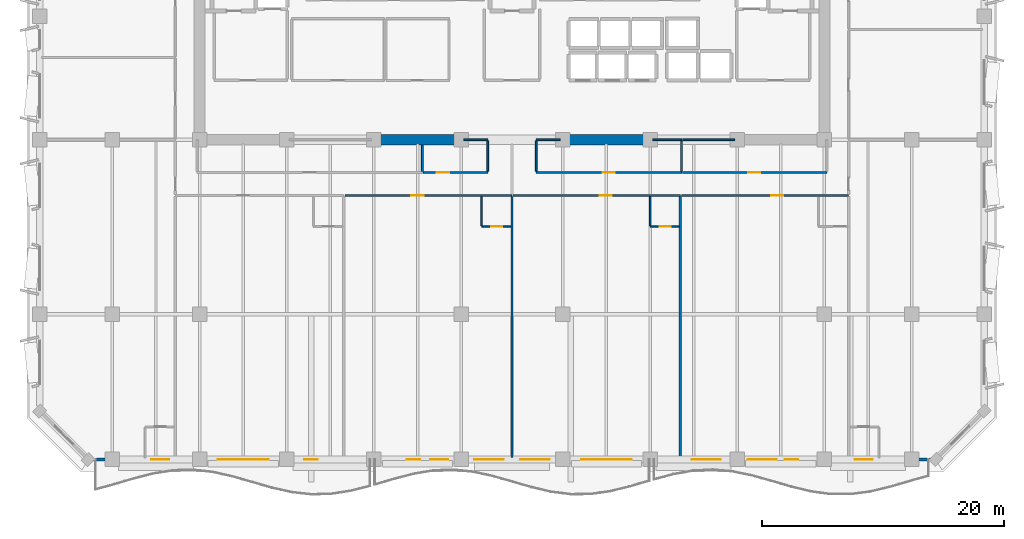
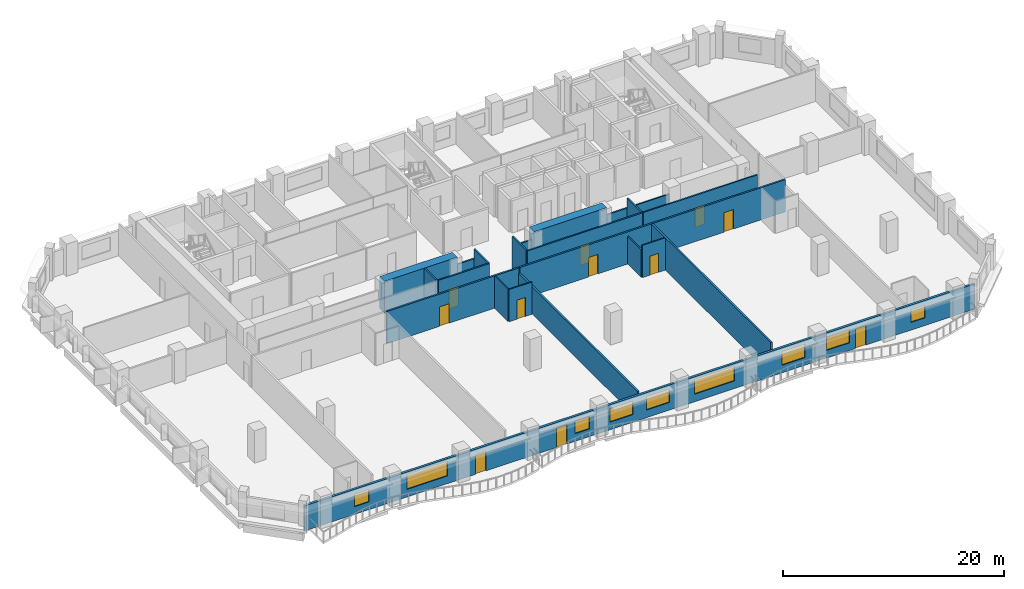
# One storey, part 5 of 14: 23 walls, 11 doors, 9 windows, 20 openings.
"""IFC4 building model written with IfcOpenShell, lengths in metres."""

import ifcopenshell
import ifcopenshell.guid

model = None  # the IFC model being written
_history = None  # IfcOwnerHistory: only IFC2X3 demands one
_inside = {}  # id of a spatial element -> (the spatial element, [elements in it])
_under = {}  # id of a project, library or spatial element -> (it, [spatial elements below it])
_declared = {}  # id of a project -> (the project, [libraries it declares])
_typed = {}  # id of a type object -> (the type object, [elements of that type])
_made_of = {}  # id of a material, layer set ... -> (it, [elements and type objects made of it])


def new_model(schema):
    """Start an empty IFC model of exactly this schema.

    Asked for "IFC4X3", IfcOpenShell would pick the latest addendum, in which some entities
    have other attributes; the version numbers below select the first issue.
    IFC2X3 requires an IfcOwnerHistory on every rooted entity: one is made here for all.
    """
    global model, _history
    if schema == "IFC4X3":
        model = ifcopenshell.file(schema_version=(4, 3, 0, 0))
    else:
        model = ifcopenshell.file(schema=schema)
    _inside.clear()
    _under.clear()
    _declared.clear()
    _typed.clear()
    _made_of.clear()
    _history = None
    if model.schema == "IFC2X3":
        org = make("IfcOrganization", Name="unknown")
        user = make(
            "IfcPersonAndOrganization",
            ThePerson=make("IfcPerson", FamilyName="unknown"),
            TheOrganization=org,
        )
        app = make(
            "IfcApplication",
            ApplicationDeveloper=org,
            Version="unknown",
            ApplicationFullName="unknown",
            ApplicationIdentifier="unknown",
        )
        _history = make(
            "IfcOwnerHistory",
            OwningUser=user,
            OwningApplication=app,
            ChangeAction="ADDED",
            CreationDate=0,
        )
    return model


def make(cls, **values):
    """One entity of the class cls with the attributes given. An attribute that is None is left unset."""
    return model.create_entity(
        cls, **{name: value for name, value in values.items() if value is not None}
    )


def rooted(cls, **values):
    """An entity with a GlobalId (a new one), such as an element, a storey or a relation."""
    return make(cls, GlobalId=ifcopenshell.guid.new(), OwnerHistory=_history, **values)


def si_unit(unit_type, name, prefix=None):
    """IfcSIUnit, for example si_unit("LENGTHUNIT", "METRE", prefix="MILLI")."""
    return make("IfcSIUnit", UnitType=unit_type, Prefix=prefix, Name=name)


def assignment(units):
    """IfcUnitAssignment: the units of a project."""
    return None if units is None else make("IfcUnitAssignment", Units=units)


def point(xyz):
    """IfcCartesianPoint."""
    return None if xyz is None else make("IfcCartesianPoint", Coordinates=xyz)


def direction(xyz):
    """IfcDirection."""
    return None if xyz is None else make("IfcDirection", DirectionRatios=xyz)


def frame(location, z_axis=None, x_axis=None):
    """IfcAxis2Placement3D, a coordinate frame: its origin and axes. An axis left out is left unset."""
    return make(
        "IfcAxis2Placement3D",
        Location=point(location),
        Axis=direction(z_axis),
        RefDirection=direction(x_axis),
    )


def frame_2d(location, x_axis=None):
    """IfcAxis2Placement2D, a coordinate frame in the plane: its origin and x axis."""
    return make(
        "IfcAxis2Placement2D", Location=point(location), RefDirection=direction(x_axis)
    )


def origin():
    """The frame at (0, 0, 0) with its axes left unset."""
    return frame((0.0, 0.0, 0.0))


def place(relative_to, where):
    """IfcLocalPlacement: puts the frame where relative to a parent placement (None: the world)."""
    return make(
        "IfcLocalPlacement", PlacementRelTo=relative_to, RelativePlacement=where
    )


def context(
    kind, dimensions, precision=None, world=None, true_north=None, identifier=None
):
    """IfcGeometricRepresentationContext, for example the 3D "Model" context."""
    return make(
        "IfcGeometricRepresentationContext",
        ContextIdentifier=identifier,
        ContextType=kind,
        CoordinateSpaceDimension=dimensions,
        Precision=precision,
        WorldCoordinateSystem=world,
        TrueNorth=true_north,
    )


def subcontext(parent, identifier, kind, view, scale=None):
    """IfcGeometricRepresentationSubContext, for example "Body" below "Model"."""
    return make(
        "IfcGeometricRepresentationSubContext",
        ContextIdentifier=identifier,
        ContextType=kind,
        ParentContext=parent,
        TargetScale=scale,
        TargetView=view,
    )


def project(units=None, contexts=None):
    """IfcProject with its units and contexts."""
    return rooted(
        "IfcProject",
        Name="project",
        RepresentationContexts=contexts,
        UnitsInContext=assignment(units),
    )


def spatial(cls, under=None, at=None, **own):
    """A site, building, storey or space (cls), placed at a placement, below another one or the project."""
    s = rooted(cls, ObjectPlacement=at, **own)
    if under is not None:
        _under.setdefault(under.id(), (under, []))[1].append(s)
    return s


def profile(cls, at=None, kind="AREA", **sizes):
    """A parametric profile (cls). Its sizes go by their IFC names, for example OverallWidth=200.0."""
    return make(cls, ProfileType=kind, Position=at, **sizes)


def rectangle(**sizes):
    """IfcRectangleProfileDef."""
    return profile("IfcRectangleProfileDef", **sizes)


def extrude(swept, where, along, depth):
    """IfcExtrudedAreaSolid: the profile swept, set in the frame where, extruded along a direction by depth."""
    return make(
        "IfcExtrudedAreaSolid",
        SweptArea=swept,
        Position=where,
        ExtrudedDirection=direction(along),
        Depth=depth,
    )


def shape(context_of_items, identifier, shape_type, items):
    """IfcShapeRepresentation: the items that make up one representation, for example the "Body"."""
    return make(
        "IfcShapeRepresentation",
        ContextOfItems=context_of_items,
        RepresentationIdentifier=identifier,
        RepresentationType=shape_type,
        Items=items,
    )


def material(Name=None, Category=None):
    """IfcMaterial."""
    return make("IfcMaterial", Name=Name, Category=Category)


def layer(
    of_material, thickness, ventilated=None, Name=None, Category=None, Priority=None
):
    """IfcMaterialLayer: one layer of a wall or slab, of a material (None: an air gap)."""
    return make(
        "IfcMaterialLayer",
        Material=of_material,
        LayerThickness=thickness,
        IsVentilated=ventilated,
        Name=Name,
        Category=Category,
        Priority=Priority,
    )


def layer_set(layers, Name=None):
    """IfcMaterialLayerSet."""
    return make("IfcMaterialLayerSet", MaterialLayers=layers, LayerSetName=Name)


def made_of(thing, what):
    """Note that an element or type object is made of a material, layer set ...; save() writes the relation."""
    if what is not None:
        _made_of.setdefault(what.id(), (what, []))[1].append(thing)
    return thing


def type_object(cls, material=None, **own):
    """A type object (cls), such as IfcWallType, which elements share."""
    return made_of(rooted(cls, **own), material)


def element(
    cls,
    number,
    at=None,
    inside=None,
    cuts=None,
    type_object=None,
    material=None,
    context=None,
    identifier="Body",
    shape_type=None,
    held_by="IfcProductDefinitionShape",
    body=None,
    shapes=None,
    **own,
):
    """One element of the class cls, such as IfcWall. Its Tag is "e" and its number.

    at: its placement. inside: the storey or other place that contains it. cuts: it is an
    opening in that element (IfcRelVoidsElement). A single representation is given by context,
    identifier, shape_type and body (its items); several are given by shapes. held_by: the class
    of the entity that holds the representations. save() writes the other relations.
    """
    e = rooted(cls, Tag="e%d" % number, ObjectPlacement=at, **own)
    if body is not None:
        shapes = [shape(context, identifier, shape_type, body)]
    if shapes is not None:
        e.Representation = make(held_by, Representations=shapes)
    if inside is not None:
        _inside.setdefault(inside.id(), (inside, []))[1].append(e)
    if cuts is not None:
        rooted(
            "IfcRelVoidsElement", RelatingBuildingElement=cuts, RelatedOpeningElement=e
        )
    if type_object is not None:
        _typed.setdefault(type_object.id(), (type_object, []))[1].append(e)
    return made_of(e, material)


def fill(opening, filler):
    """IfcRelFillsElement: the door or window that sits in an opening."""
    return rooted(
        "IfcRelFillsElement",
        RelatingOpeningElement=opening,
        RelatedBuildingElement=filler,
    )


def aggregate(whole, parts):
    """IfcRelAggregates: a whole, such as a stair, and the parts it consists of."""
    return rooted("IfcRelAggregates", RelatingObject=whole, RelatedObjects=parts)


def save(model, path):
    """Write the relations noted so far, then the file.

    IfcRelAggregates (storeys below a building ...), IfcRelContainedInSpatialStructure (elements
    in a storey), IfcRelDefinesByType, IfcRelAssociatesMaterial and IfcRelDeclares: one each for
    every whole, place, type object, material and project.
    """
    for whole, parts in _under.values():
        aggregate(whole, parts)
    for where, things in _inside.values():
        rooted(
            "IfcRelContainedInSpatialStructure",
            RelatedElements=things,
            RelatingStructure=where,
        )
    for kind, things in _typed.values():
        rooted("IfcRelDefinesByType", RelatedObjects=things, RelatingType=kind)
    for what, things in _made_of.values():
        rooted("IfcRelAssociatesMaterial", RelatedObjects=things, RelatingMaterial=what)
    for by, libraries in _declared.values():
        rooted("IfcRelDeclares", RelatingContext=by, RelatedDefinitions=libraries)
    model.write(path)


model = new_model("IFC4")

# Units and contexts
model_context = context("Model", 3, precision=1e-05, world=origin(), true_north=direction((0.0, 1.0)))
body_context = subcontext(model_context, "Body", "Model", "MODEL_VIEW")
ifc_project = project(units=[si_unit("LENGTHUNIT", "METRE"), si_unit("AREAUNIT", "SQUARE_METRE"), si_unit("VOLUMEUNIT", "CUBIC_METRE"), si_unit("PLANEANGLEUNIT", "RADIAN"), si_unit("MASSUNIT", "GRAM", prefix="KILO")], contexts=[model_context])

# Site, building, storey
site_placement = place(None, origin())
site = spatial("IfcSite", under=ifc_project, at=site_placement, CompositionType="ELEMENT")
building_placement = place(site_placement, origin())
building = spatial("IfcBuilding", under=site, at=building_placement, Name="Kaelvorn Grand Hotel", CompositionType="ELEMENT")
storey_placement = place(building_placement, frame((0.0, 0.0, 212.949951171875)))
storey = spatial("IfcBuildingStorey", under=building, at=storey_placement, Name="L52", CompositionType="ELEMENT", Elevation=212.949951171875)

# Walls
ifc_material_1 = material(Name="Concrete C60/75", Category="concrete")
ifc_layer_1 = layer(ifc_material_1, 0.89990234375)
ifc_layer_set_1 = layer_set([ifc_layer_1], Name="Concrete C60/75")
wall_type_1 = type_object("IfcWallType", Name="WL-CORE-900-C60", PredefinedType="SHEAR", material=ifc_layer_set_1)
for number, where, z_axis, x_axis, name in (
    (1, (30.39990234375, 29.39990234375, 0.0), (0.0, 0.0, 1.0), (1.0, 0.0, 0.0), "L52 Rear-Core Coupled Shear Pier S2"),
    (2, (46.0, 29.39990234375, 0.0), (0.0, 0.0, 1.0), (1.0, 0.0, 0.0), "L52 Rear-Core Coupled Shear Pier S3"),
):
    element("IfcWall", number, at=place(storey_placement, frame(where, z_axis=z_axis, x_axis=x_axis)), inside=storey, type_object=wall_type_1, Name=name, PredefinedType="SHEAR", context=body_context, shape_type="SweptSolid", body=[
        extrude(rectangle(XDim=7.60009765625, YDim=0.89990234375, at=frame_2d((3.800048828125, 0.0))), origin(), (0.0, 0.0, 1.0), 3.56005859375),
    ])

# Wall, openings, doors, windows
ifc_material_2 = material(Name="Concrete C40/50", Category="concrete")
ifc_layer_2 = layer(ifc_material_2, 0.239990234375)
ifc_layer_set_2 = layer_set([ifc_layer_2], Name="Concrete C40/50")
wall_type_2 = type_object("IfcWallType", Name="WL-EXT-240-C40", PredefinedType="SOLIDWALL", material=ifc_layer_set_2)
wall_1_placement = place(storey_placement, frame((7.0, 3.0, 0.0), z_axis=(0.0, 0.0, 1.0), x_axis=(1.0, 0.0, 0.0)))
wall_1 = element("IfcWall", 3, at=wall_1_placement, inside=storey, type_object=wall_type_2, Name="L52 Exterior Architectural Concrete Wall 01", PredefinedType="SOLIDWALL", context=body_context, shape_type="SweptSolid", body=[
    extrude(rectangle(XDim=70.0, YDim=0.239990234375, at=frame_2d((35.0, 0.0))), origin(), (0.0, 0.0, 1.0), 2.760009765625),
])
opening_1_placement = place(wall_1_placement, frame((17.859619140625, 0.0, 0.0)))
opening_1 = element("IfcOpeningElement", 4, at=opening_1_placement, cuts=wall_1, Name="Opening DE2", PredefinedType="OPENING", context=body_context, shape_type="SweptSolid", body=[
    extrude(rectangle(XDim=1.10009765625, YDim=2.14990234375, at=frame_2d((0.550048828125, 1.074951171875))), frame((0.0, 0.1298828125, 0.0), z_axis=(0.0, -1.0, 0.0), x_axis=(1.0, 0.0, 0.0)), (0.0, 0.0, 1.0), 0.260009765625),
])
opening_2_placement = place(wall_1_placement, frame((26.316650390625, 0.0, 0.0)))
opening_2 = element("IfcOpeningElement", 5, at=opening_2_placement, cuts=wall_1, Name="Opening DE2", PredefinedType="OPENING", context=body_context, shape_type="SweptSolid", body=[
    extrude(rectangle(XDim=1.10009765625, YDim=2.14990234375, at=frame_2d((0.550048828125, 1.074951171875))), frame((0.0, 0.1298828125, 0.0), z_axis=(0.0, -1.0, 0.0), x_axis=(1.0, 0.0, 0.0)), (0.0, 0.0, 1.0), 0.260009765625),
])
opening_3_placement = place(wall_1_placement, frame((57.5166015625, 0.0, 0.0)))
opening_3 = element("IfcOpeningElement", 6, at=opening_3_placement, cuts=wall_1, Name="Opening DE2", PredefinedType="OPENING", context=body_context, shape_type="SweptSolid", body=[
    extrude(rectangle(XDim=1.10009765625, YDim=2.14990234375, at=frame_2d((0.550048828125, 1.074951171875))), frame((0.0, 0.1298828125, 0.0), z_axis=(0.0, -1.0, 0.0), x_axis=(1.0, 0.0, 0.0)), (0.0, 0.0, 1.0), 0.260009765625),
])
opening_4_placement = place(wall_1_placement, frame((5.199951171875, 0.0, 0.85009765625)))
opening_4 = element("IfcOpeningElement", 7, at=opening_4_placement, cuts=wall_1, Name="Opening W10", PredefinedType="OPENING", context=body_context, shape_type="SweptSolid", body=[
    extrude(rectangle(XDim=1.5, YDim=1.39990234375, at=frame_2d((0.75, 0.699951171875))), frame((0.0, 0.1298828125, 0.0), z_axis=(0.0, -1.0, 0.0), x_axis=(1.0, 0.0, 0.0)), (0.0, 0.0, 1.0), 0.260009765625),
])
opening_5_placement = place(wall_1_placement, frame((10.699951171875, 0.0, 0.85009765625)))
opening_5 = element("IfcOpeningElement", 8, at=opening_5_placement, cuts=wall_1, Name="Opening W2", PredefinedType="OPENING", context=body_context, shape_type="SweptSolid", body=[
    extrude(rectangle(XDim=4.199951171875, YDim=1.64990234375, at=frame_2d((2.10009765625, 0.824951171875))), frame((0.0, 0.1298828125, 0.0), z_axis=(0.0, -1.0, 0.0), x_axis=(1.0, 0.0, 0.0)), (0.0, 0.0, 1.0), 0.260009765625),
])
opening_6_placement = place(wall_1_placement, frame((28.243408203125, 0.0, 0.85009765625)))
opening_6 = element("IfcOpeningElement", 9, at=opening_6_placement, cuts=wall_1, Name="Opening W10", PredefinedType="OPENING", context=body_context, shape_type="SweptSolid", body=[
    extrude(rectangle(XDim=1.5, YDim=1.39990234375, at=frame_2d((0.75, 0.699951171875))), frame((0.0, 0.1298828125, 0.0), z_axis=(0.0, -1.0, 0.0), x_axis=(1.0, 0.0, 0.0)), (0.0, 0.0, 1.0), 0.260009765625),
])
opening_7_placement = place(wall_1_placement, frame((31.89990234375, 0.0, 0.85009765625)))
opening_7 = element("IfcOpeningElement", 10, at=opening_7_placement, cuts=wall_1, Name="Opening W6", PredefinedType="OPENING", context=body_context, shape_type="SweptSolid", body=[
    extrude(rectangle(XDim=2.39990234375, YDim=1.5, at=frame_2d((1.199951171875, 0.75))), frame((0.0, 0.1298828125, 0.0), z_axis=(0.0, -1.0, 0.0), x_axis=(1.0, 0.0, 0.0)), (0.0, 0.0, 1.0), 0.260009765625),
])
opening_8_placement = place(wall_1_placement, frame((35.699951171875, 0.0, 0.85009765625)))
opening_8 = element("IfcOpeningElement", 11, at=opening_8_placement, cuts=wall_1, Name="Opening W6", PredefinedType="OPENING", context=body_context, shape_type="SweptSolid", body=[
    extrude(rectangle(XDim=2.39990234375, YDim=1.5, at=frame_2d((1.199951171875, 0.75))), frame((0.0, 0.1298828125, 0.0), z_axis=(0.0, -1.0, 0.0), x_axis=(1.0, 0.0, 0.0)), (0.0, 0.0, 1.0), 0.260009765625),
])
opening_9_placement = place(wall_1_placement, frame((40.699951171875, 0.0, 0.85009765625)))
opening_9 = element("IfcOpeningElement", 12, at=opening_9_placement, cuts=wall_1, Name="Opening W2", PredefinedType="OPENING", context=body_context, shape_type="SweptSolid", body=[
    extrude(rectangle(XDim=4.199951171875, YDim=1.64990234375, at=frame_2d((2.10009765625, 0.824951171875))), frame((0.0, 0.1298828125, 0.0), z_axis=(0.0, -1.0, 0.0), x_axis=(1.0, 0.0, 0.0)), (0.0, 0.0, 1.0), 0.260009765625),
])
opening_10_placement = place(wall_1_placement, frame((49.85009765625, 0.0, 0.85009765625)))
opening_10 = element("IfcOpeningElement", 13, at=opening_10_placement, cuts=wall_1, Name="Opening W6", PredefinedType="OPENING", context=body_context, shape_type="SweptSolid", body=[
    extrude(rectangle(XDim=2.39990234375, YDim=1.5, at=frame_2d((1.199951171875, 0.75))), frame((0.0, 0.1298828125, 0.0), z_axis=(0.0, -1.0, 0.0), x_axis=(1.0, 0.0, 0.0)), (0.0, 0.0, 1.0), 0.260009765625),
])
opening_11_placement = place(wall_1_placement, frame((54.473388671875, 0.0, 0.85009765625)))
opening_11 = element("IfcOpeningElement", 14, at=opening_11_placement, cuts=wall_1, Name="Opening W6", PredefinedType="OPENING", context=body_context, shape_type="SweptSolid", body=[
    extrude(rectangle(XDim=2.39990234375, YDim=1.5, at=frame_2d((1.199951171875, 0.75))), frame((0.0, 0.1298828125, 0.0), z_axis=(0.0, -1.0, 0.0), x_axis=(1.0, 0.0, 0.0)), (0.0, 0.0, 1.0), 0.260009765625),
])
opening_12_placement = place(wall_1_placement, frame((63.300048828125, 0.0, 0.85009765625)))
opening_12 = element("IfcOpeningElement", 15, at=opening_12_placement, cuts=wall_1, Name="Opening W10", PredefinedType="OPENING", context=body_context, shape_type="SweptSolid", body=[
    extrude(rectangle(XDim=1.5, YDim=1.39990234375, at=frame_2d((0.75, 0.699951171875))), frame((0.0, 0.1298828125, 0.0), z_axis=(0.0, -1.0, 0.0), x_axis=(1.0, 0.0, 0.0)), (0.0, 0.0, 1.0), 0.260009765625),
])
ifc_material_3 = material(Name="Anodised Aluminium", Category="aluminium")
door_type_1 = type_object("IfcDoorType", Name="DR-EXT-BALC-1100x2150", OperationType="NOTDEFINED", PredefinedType="DOOR", material=ifc_material_3)
door_1_placement = place(opening_1_placement, origin())
door_1 = element("IfcDoor", 16, at=door_1_placement, inside=storey, type_object=door_type_1, Name="L52 Scalloped Balcony Glazed Door DE2-1", OperationType="SINGLE_SWING_LEFT", OverallHeight=2.14990234375, OverallWidth=1.10009765625, PredefinedType="DOOR", context=body_context, shape_type="SweptSolid", body=[
    extrude(rectangle(XDim=1.10009765625, YDim=2.14990234375, at=frame_2d((0.550048828125, 1.074951171875))), frame((0.0, 0.02490234375, 0.0), z_axis=(0.0, -1.0, 0.0), x_axis=(1.0, 0.0, 0.0)), (0.0, 0.0, 1.0), 0.050048828125),
])
fill(opening_1, door_1)
door_2_placement = place(opening_2_placement, origin())
door_2 = element("IfcDoor", 17, at=door_2_placement, inside=storey, type_object=door_type_1, Name="L52 Scalloped Balcony Glazed Door DE2-2", OperationType="SINGLE_SWING_RIGHT", OverallHeight=2.14990234375, OverallWidth=1.10009765625, PredefinedType="DOOR", context=body_context, shape_type="SweptSolid", body=[
    extrude(rectangle(XDim=1.10009765625, YDim=2.14990234375, at=frame_2d((0.550048828125, 1.074951171875))), frame((0.0, 0.02490234375, 0.0), z_axis=(0.0, -1.0, 0.0), x_axis=(1.0, 0.0, 0.0)), (0.0, 0.0, 1.0), 0.050048828125),
])
fill(opening_2, door_2)
door_3_placement = place(opening_3_placement, origin())
door_3 = element("IfcDoor", 18, at=door_3_placement, inside=storey, type_object=door_type_1, Name="L52 Scalloped Balcony Glazed Door DE2-3", OperationType="SINGLE_SWING_LEFT", OverallHeight=2.14990234375, OverallWidth=1.10009765625, PredefinedType="DOOR", context=body_context, shape_type="SweptSolid", body=[
    extrude(rectangle(XDim=1.10009765625, YDim=2.14990234375, at=frame_2d((0.550048828125, 1.074951171875))), frame((0.0, 0.02490234375, 0.0), z_axis=(0.0, -1.0, 0.0), x_axis=(1.0, 0.0, 0.0)), (0.0, 0.0, 1.0), 0.050048828125),
])
fill(opening_3, door_3)
ifc_material_4 = material(Name="Laminated Low-E Glass", Category="glass")
window_type_1 = type_object("IfcWindowType", Name="WIN-COR-1500x1400", PartitioningType="SINGLE_PANEL", PredefinedType="WINDOW", material=ifc_material_4)
window_1_placement = place(opening_4_placement, origin())
window_1 = element("IfcWindow", 19, at=window_1_placement, inside=storey, type_object=window_type_1, Name="L52 South Guestroom Ribbon Window SR01", OverallHeight=1.39990234375, OverallWidth=1.5, PartitioningType="SINGLE_PANEL", PredefinedType="WINDOW", context=body_context, shape_type="SweptSolid", body=[
    extrude(rectangle(XDim=1.5, YDim=1.39990234375, at=frame_2d((0.75, 0.699951171875))), frame((0.0, 0.030029296875, 0.0), z_axis=(0.0, -1.0, 0.0), x_axis=(1.0, 0.0, 0.0)), (0.0, 0.0, 1.0), 0.06005859375),
])
fill(opening_4, window_1)
window_2_placement = place(opening_6_placement, origin())
window_2 = element("IfcWindow", 20, at=window_2_placement, inside=storey, type_object=window_type_1, Name="L52 South Guestroom Ribbon Window SR03", OverallHeight=1.39990234375, OverallWidth=1.5, PartitioningType="SINGLE_PANEL", PredefinedType="WINDOW", context=body_context, shape_type="SweptSolid", body=[
    extrude(rectangle(XDim=1.5, YDim=1.39990234375, at=frame_2d((0.75, 0.699951171875))), frame((0.0, 0.030029296875, 0.0), z_axis=(0.0, -1.0, 0.0), x_axis=(1.0, 0.0, 0.0)), (0.0, 0.0, 1.0), 0.06005859375),
])
fill(opening_6, window_2)
window_3_placement = place(opening_12_placement, origin())
window_3 = element("IfcWindow", 21, at=window_3_placement, inside=storey, type_object=window_type_1, Name="L52 South Guestroom Ribbon Window SR09", OverallHeight=1.39990234375, OverallWidth=1.5, PartitioningType="SINGLE_PANEL", PredefinedType="WINDOW", context=body_context, shape_type="SweptSolid", body=[
    extrude(rectangle(XDim=1.5, YDim=1.39990234375, at=frame_2d((0.75, 0.699951171875))), frame((0.0, 0.030029296875, 0.0), z_axis=(0.0, -1.0, 0.0), x_axis=(1.0, 0.0, 0.0)), (0.0, 0.0, 1.0), 0.06005859375),
])
fill(opening_12, window_3)
window_type_2 = type_object("IfcWindowType", Name="WIN-NTH-2400x1500", PartitioningType="SINGLE_PANEL", PredefinedType="WINDOW", material=ifc_material_4)
window_4_placement = place(opening_7_placement, origin())
window_4 = element("IfcWindow", 22, at=window_4_placement, inside=storey, type_object=window_type_2, Name="L52 South Guestroom Ribbon Window SR04", OverallHeight=1.5, OverallWidth=2.39990234375, PartitioningType="SINGLE_PANEL", PredefinedType="WINDOW", context=body_context, shape_type="SweptSolid", body=[
    extrude(rectangle(XDim=2.39990234375, YDim=1.5, at=frame_2d((1.199951171875, 0.75))), frame((0.0, 0.030029296875, 0.0), z_axis=(0.0, -1.0, 0.0), x_axis=(1.0, 0.0, 0.0)), (0.0, 0.0, 1.0), 0.06005859375),
])
fill(opening_7, window_4)
window_5_placement = place(opening_8_placement, origin())
window_5 = element("IfcWindow", 23, at=window_5_placement, inside=storey, type_object=window_type_2, Name="L52 South Guestroom Ribbon Window SR05", OverallHeight=1.5, OverallWidth=2.39990234375, PartitioningType="SINGLE_PANEL", PredefinedType="WINDOW", context=body_context, shape_type="SweptSolid", body=[
    extrude(rectangle(XDim=2.39990234375, YDim=1.5, at=frame_2d((1.199951171875, 0.75))), frame((0.0, 0.030029296875, 0.0), z_axis=(0.0, -1.0, 0.0), x_axis=(1.0, 0.0, 0.0)), (0.0, 0.0, 1.0), 0.06005859375),
])
fill(opening_8, window_5)
window_6_placement = place(opening_10_placement, origin())
window_6 = element("IfcWindow", 24, at=window_6_placement, inside=storey, type_object=window_type_2, Name="L52 South Guestroom Ribbon Window SR07", OverallHeight=1.5, OverallWidth=2.39990234375, PartitioningType="SINGLE_PANEL", PredefinedType="WINDOW", context=body_context, shape_type="SweptSolid", body=[
    extrude(rectangle(XDim=2.39990234375, YDim=1.5, at=frame_2d((1.199951171875, 0.75))), frame((0.0, 0.030029296875, 0.0), z_axis=(0.0, -1.0, 0.0), x_axis=(1.0, 0.0, 0.0)), (0.0, 0.0, 1.0), 0.06005859375),
])
fill(opening_10, window_6)
window_7_placement = place(opening_11_placement, origin())
window_7 = element("IfcWindow", 25, at=window_7_placement, inside=storey, type_object=window_type_2, Name="L52 South Guestroom Ribbon Window SR08", OverallHeight=1.5, OverallWidth=2.39990234375, PartitioningType="SINGLE_PANEL", PredefinedType="WINDOW", context=body_context, shape_type="SweptSolid", body=[
    extrude(rectangle(XDim=2.39990234375, YDim=1.5, at=frame_2d((1.199951171875, 0.75))), frame((0.0, 0.030029296875, 0.0), z_axis=(0.0, -1.0, 0.0), x_axis=(1.0, 0.0, 0.0)), (0.0, 0.0, 1.0), 0.06005859375),
])
fill(opening_11, window_7)
window_type_3 = type_object("IfcWindowType", Name="WIN-RIB-4200x1650", PartitioningType="SINGLE_PANEL", PredefinedType="WINDOW", material=ifc_material_4)
window_8_placement = place(opening_5_placement, origin())
window_8 = element("IfcWindow", 26, at=window_8_placement, inside=storey, type_object=window_type_3, Name="L52 South Guestroom Ribbon Window SR02", OverallHeight=1.64990234375, OverallWidth=4.199951171875, PartitioningType="SINGLE_PANEL", PredefinedType="WINDOW", context=body_context, shape_type="SweptSolid", body=[
    extrude(rectangle(XDim=4.199951171875, YDim=1.64990234375, at=frame_2d((2.10009765625, 0.824951171875))), frame((0.0, 0.030029296875, 0.0), z_axis=(0.0, -1.0, 0.0), x_axis=(1.0, 0.0, 0.0)), (0.0, 0.0, 1.0), 0.06005859375),
])
fill(opening_5, window_8)
window_9_placement = place(opening_9_placement, origin())
window_9 = element("IfcWindow", 27, at=window_9_placement, inside=storey, type_object=window_type_3, Name="L52 South Guestroom Ribbon Window SR06", OverallHeight=1.64990234375, OverallWidth=4.199951171875, PartitioningType="SINGLE_PANEL", PredefinedType="WINDOW", context=body_context, shape_type="SweptSolid", body=[
    extrude(rectangle(XDim=4.199951171875, YDim=1.64990234375, at=frame_2d((2.10009765625, 0.824951171875))), frame((0.0, 0.030029296875, 0.0), z_axis=(0.0, -1.0, 0.0), x_axis=(1.0, 0.0, 0.0)), (0.0, 0.0, 1.0), 0.06005859375),
])
fill(opening_9, window_9)

# Wall, opening, door
ifc_material_5 = material(Name="Moisture-Resistant Tile & Stud Board")
ifc_layer_3 = layer(ifc_material_5, 0.125)
ifc_layer_set_3 = layer_set([ifc_layer_3], Name="Moisture-Resistant Tile & Stud Board")
wall_type_3 = type_object("IfcWallType", Name="WL-PART-125-WET", PredefinedType="PARTITIONING", material=ifc_layer_set_3)
wall_2_placement = place(storey_placement, frame((39.5, 22.25, 0.0), z_axis=(0.0, 0.0, 1.0), x_axis=(1.0, 0.0, 0.0)))
wall_2 = element("IfcWall", 28, at=wall_2_placement, inside=storey, type_object=wall_type_3, Name="L52 En-suite Bathroom L52-02 S Partition", PredefinedType="PARTITIONING", context=body_context, shape_type="SweptSolid", body=[
    extrude(rectangle(XDim=2.405029296875, YDim=0.125, at=frame_2d((1.20263671875, 0.0))), origin(), (0.0, 0.0, 1.0), 3.56005859375),
])
opening_13_placement = place(wall_2_placement, frame((0.800048828125, 0.0, 0.0)))
opening_13 = element("IfcOpeningElement", 29, at=opening_13_placement, cuts=wall_2, Name="Opening DI4", PredefinedType="OPENING", context=body_context, shape_type="SweptSolid", body=[
    extrude(rectangle(XDim=0.89990234375, YDim=2.10009765625, at=frame_2d((0.449951171875, 1.050048828125))), frame((0.0, 0.072509765625, 0.0), z_axis=(0.0, -1.0, 0.0), x_axis=(1.0, 0.0, 0.0)), (0.0, 0.0, 1.0), 0.14501953125),
])
ifc_material_6 = material(Name="Timber Veneer Leaf", Category="wood")
door_type_2 = type_object("IfcDoorType", Name="DR-INT-BATH-900x2100", OperationType="NOTDEFINED", PredefinedType="DOOR", material=ifc_material_6)
door_4_placement = place(opening_13_placement, origin())
door_4 = element("IfcDoor", 30, at=door_4_placement, inside=storey, type_object=door_type_2, Name="L52 En-suite Bathroom L52-02 Door", OperationType="SINGLE_SWING_LEFT", OverallHeight=2.10009765625, OverallWidth=0.89990234375, PredefinedType="DOOR", context=body_context, shape_type="SweptSolid", body=[
    extrude(rectangle(XDim=0.89990234375, YDim=2.10009765625, at=frame_2d((0.449951171875, 1.050048828125))), frame((0.0, 0.02490234375, 0.0), z_axis=(0.0, -1.0, 0.0), x_axis=(1.0, 0.0, 0.0)), (0.0, 0.0, 1.0), 0.050048828125),
])
fill(opening_13, door_4)

# Wall
wall_3_placement = place(storey_placement, frame((39.5, 22.3173828125, 0.0), z_axis=(0.0, 0.0, 1.0), x_axis=(0.0, 1.0, 0.0)))
element("IfcWall", 31, at=wall_3_placement, inside=storey, type_object=wall_type_3, Name="L52 En-suite Bathroom L52-02 W Partition", PredefinedType="PARTITIONING", context=body_context, shape_type="SweptSolid", body=[
    extrude(rectangle(XDim=2.3876953125, YDim=0.125, at=frame_2d((1.19384765625, 0.0))), origin(), (0.0, 0.0, 1.0), 3.56005859375),
])

# Wall, opening, door
wall_4_placement = place(storey_placement, frame((53.39990234375, 22.25, 0.0), z_axis=(0.0, 0.0, 1.0), x_axis=(1.0, 0.0, 0.0)))
wall_4 = element("IfcWall", 32, at=wall_4_placement, inside=storey, type_object=wall_type_3, Name="L52 En-suite Bathroom L52-03 S Partition", PredefinedType="PARTITIONING", context=body_context, shape_type="SweptSolid", body=[
    extrude(rectangle(XDim=2.405029296875, YDim=0.125, at=frame_2d((1.20263671875, 0.0))), origin(), (0.0, 0.0, 1.0), 3.56005859375),
])
opening_14_placement = place(wall_4_placement, frame((0.800048828125, 0.0, 0.0)))
opening_14 = element("IfcOpeningElement", 33, at=opening_14_placement, cuts=wall_4, Name="Opening DI4", PredefinedType="OPENING", context=body_context, shape_type="SweptSolid", body=[
    extrude(rectangle(XDim=0.89990234375, YDim=2.10009765625, at=frame_2d((0.449951171875, 1.050048828125))), frame((0.0, 0.072509765625, 0.0), z_axis=(0.0, -1.0, 0.0), x_axis=(1.0, 0.0, 0.0)), (0.0, 0.0, 1.0), 0.14501953125),
])
door_5_placement = place(opening_14_placement, origin())
door_5 = element("IfcDoor", 34, at=door_5_placement, inside=storey, type_object=door_type_2, Name="L52 En-suite Bathroom L52-03 Door", OperationType="SINGLE_SWING_LEFT", OverallHeight=2.10009765625, OverallWidth=0.89990234375, PredefinedType="DOOR", context=body_context, shape_type="SweptSolid", body=[
    extrude(rectangle(XDim=0.89990234375, YDim=2.10009765625, at=frame_2d((0.449951171875, 1.050048828125))), frame((0.0, 0.02490234375, 0.0), z_axis=(0.0, -1.0, 0.0), x_axis=(1.0, 0.0, 0.0)), (0.0, 0.0, 1.0), 0.050048828125),
])
fill(opening_14, door_5)

# Walls
wall_5_placement = place(storey_placement, frame((53.39990234375, 22.3173828125, 0.0), z_axis=(0.0, 0.0, 1.0), x_axis=(0.0, 1.0, 0.0)))
element("IfcWall", 35, at=wall_5_placement, inside=storey, type_object=wall_type_3, Name="L52 En-suite Bathroom L52-03 W Partition", PredefinedType="PARTITIONING", context=body_context, shape_type="SweptSolid", body=[
    extrude(rectangle(XDim=2.3876953125, YDim=0.125, at=frame_2d((1.19384765625, 0.0))), origin(), (0.0, 0.0, 1.0), 3.06005859375),
])
ifc_material_7 = material(Name="Acoustic Gypsum & Stud Partition")
ifc_layer_4 = layer(ifc_material_7, 0.14990234375)
ifc_layer_set_4 = layer_set([ifc_layer_4], Name="Acoustic Gypsum & Stud Partition")
wall_type_4 = type_object("IfcWallType", Name="WL-PART-150-EI60", PredefinedType="PARTITIONING", material=ifc_layer_set_4)
wall_6_placement = place(storey_placement, frame((34.60009765625, 26.780029296875, 0.0), z_axis=(0.0, 0.0, 1.0), x_axis=(0.0, 1.0, 0.0)))
element("IfcWall", 36, at=wall_6_placement, inside=storey, type_object=wall_type_4, Name="L52 Botanical Conservatory Salon E Partition", PredefinedType="PARTITIONING", context=body_context, shape_type="SweptSolid", body=[
    extrude(rectangle(XDim=2.1650390625, YDim=0.14990234375, at=frame_2d((1.08251953125, 0.0))), origin(), (0.0, 0.0, 1.0), 3.56005859375),
])

# Wall, opening, door
wall_7_placement = place(storey_placement, frame((34.679931640625, 26.699951171875, 0.0), z_axis=(0.0, 0.0, 1.0), x_axis=(1.0, 0.0, 0.0)))
wall_7 = element("IfcWall", 37, at=wall_7_placement, inside=storey, type_object=wall_type_4, Name="L52 Catering Servery Kitchen S Partition", PredefinedType="PARTITIONING", context=body_context, shape_type="SweptSolid", body=[
    extrude(rectangle(XDim=5.320068359375, YDim=0.14990234375, at=frame_2d((2.66015625, 0.0))), origin(), (0.0, 0.0, 1.0), 3.56005859375),
])
opening_15_placement = place(wall_7_placement, frame((1.1201171875, 0.0, 0.0)))
opening_15 = element("IfcOpeningElement", 38, at=opening_15_placement, cuts=wall_7, Name="Opening DI3", PredefinedType="OPENING", context=body_context, shape_type="SweptSolid", body=[
    extrude(rectangle(XDim=1.0, YDim=2.14990234375, at=frame_2d((0.5, 1.074951171875))), frame((0.0, 0.0849609375, 0.0), z_axis=(0.0, -1.0, 0.0), x_axis=(1.0, 0.0, 0.0)), (0.0, 0.0, 1.0), 0.169921875),
])
ifc_material_8 = material(Name="Timber Veneer Fire Leaf", Category="wood")
door_type_3 = type_object("IfcDoorType", Name="DR-INT-GUEST-1000x2150", OperationType="NOTDEFINED", PredefinedType="DOOR", material=ifc_material_8)
door_6_placement = place(opening_15_placement, origin())
door_6 = element("IfcDoor", 39, at=door_6_placement, inside=storey, type_object=door_type_3, Name="L52 Catering Servery Kitchen Door", OperationType="SINGLE_SWING_LEFT", OverallHeight=2.14990234375, OverallWidth=1.0, PredefinedType="DOOR", context=body_context, shape_type="SweptSolid", body=[
    extrude(rectangle(XDim=1.0, YDim=2.14990234375, at=frame_2d((0.5, 1.074951171875))), frame((0.0, 0.02490234375, 0.0), z_axis=(0.0, -1.0, 0.0), x_axis=(1.0, 0.0, 0.0)), (0.0, 0.0, 1.0), 0.050048828125),
])
fill(opening_15, door_6)

# Walls
wall_8_placement = place(storey_placement, frame((38.010009765625, 29.39990234375, 0.0), z_axis=(0.0, 0.0, 1.0), x_axis=(1.0, 0.0, 0.0)))
element("IfcWall", 40, at=wall_8_placement, inside=storey, type_object=wall_type_4, Name="L52 Catering Servery Kitchen N Partition", PredefinedType="PARTITIONING", context=body_context, shape_type="SweptSolid", body=[
    extrude(rectangle(XDim=1.989990234375, YDim=0.14990234375, at=frame_2d((0.9951171875, 0.0))), origin(), (0.0, 0.0, 1.0), 2.4599609375),
])
wall_9_placement = place(storey_placement, frame((40.0, 26.780029296875, 0.0), z_axis=(0.0, 0.0, 1.0), x_axis=(0.0, 1.0, 0.0)))
element("IfcWall", 41, at=wall_9_placement, inside=storey, type_object=wall_type_4, Name="L52 Catering Servery Kitchen E Partition", PredefinedType="PARTITIONING", context=body_context, shape_type="SweptSolid", body=[
    extrude(rectangle(XDim=2.5400390625, YDim=0.14990234375, at=frame_2d((1.27001953125, 0.0))), origin(), (0.0, 0.0, 1.0), 3.56005859375),
])

# Wall, opening, door
wall_10_placement = place(storey_placement, frame((44.0, 26.699951171875, 0.0), z_axis=(0.0, 0.0, 1.0), x_axis=(1.0, 0.0, 0.0)))
wall_10 = element("IfcWall", 42, at=wall_10_placement, inside=storey, type_object=wall_type_4, Name="L52 Presidential Living Room S Partition", PredefinedType="PARTITIONING", context=body_context, shape_type="SweptSolid", body=[
    extrude(rectangle(XDim=12.0, YDim=0.14990234375, at=frame_2d((6.0, 0.0))), origin(), (0.0, 0.0, 1.0), 3.56005859375),
])
opening_16_placement = place(wall_10_placement, frame((5.5, 0.0, 0.0)))
opening_16 = element("IfcOpeningElement", 43, at=opening_16_placement, cuts=wall_10, Name="Opening DI3", PredefinedType="OPENING", context=body_context, shape_type="SweptSolid", body=[
    extrude(rectangle(XDim=1.0, YDim=2.14990234375, at=frame_2d((0.5, 1.074951171875))), frame((0.0, 0.0849609375, 0.0), z_axis=(0.0, -1.0, 0.0), x_axis=(1.0, 0.0, 0.0)), (0.0, 0.0, 1.0), 0.169921875),
])
door_7_placement = place(opening_16_placement, origin())
door_7 = element("IfcDoor", 44, at=door_7_placement, inside=storey, type_object=door_type_3, Name="L52 Presidential Living Room Door", OperationType="SINGLE_SWING_RIGHT", OverallHeight=2.14990234375, OverallWidth=1.0, PredefinedType="DOOR", context=body_context, shape_type="SweptSolid", body=[
    extrude(rectangle(XDim=1.0, YDim=2.14990234375, at=frame_2d((0.5, 1.074951171875))), frame((0.0, 0.02490234375, 0.0), z_axis=(0.0, -1.0, 0.0), x_axis=(1.0, 0.0, 0.0)), (0.0, 0.0, 1.0), 0.050048828125),
])
fill(opening_16, door_7)

# Walls
wall_11_placement = place(storey_placement, frame((44.0, 29.39990234375, 0.0), z_axis=(0.0, 0.0, 1.0), x_axis=(1.0, 0.0, 0.0)))
element("IfcWall", 45, at=wall_11_placement, inside=storey, type_object=wall_type_4, Name="L52 Presidential Living Room N Partition (1)", PredefinedType="PARTITIONING", context=body_context, shape_type="SweptSolid", body=[
    extrude(rectangle(XDim=1.989990234375, YDim=0.14990234375, at=frame_2d((0.9951171875, 0.0))), origin(), (0.0, 0.0, 1.0), 2.4599609375),
])
wall_12_placement = place(storey_placement, frame((53.610107421875, 29.39990234375, 0.0), z_axis=(0.0, 0.0, 1.0), x_axis=(1.0, 0.0, 0.0)))
element("IfcWall", 46, at=wall_12_placement, inside=storey, type_object=wall_type_4, Name="L52 Presidential Living Room N Partition (2)", PredefinedType="PARTITIONING", context=body_context, shape_type="SweptSolid", body=[
    extrude(rectangle(XDim=2.389892578125, YDim=0.14990234375, at=frame_2d((1.19482421875, 0.0))), origin(), (0.0, 0.0, 1.0), 2.4599609375),
])
for number, where, z_axis, x_axis, name in (
    (47, (44.0, 26.780029296875, 0.0), (0.0, 0.0, 1.0), (0.0, 1.0, 0.0), "L52 Presidential Living Room W Partition"),
    (48, (56.0, 26.780029296875, 0.0), (0.0, 0.0, 1.0), (0.0, 1.0, 0.0), "L52 Presidential Living Room E Partition"),
):
    element("IfcWall", number, at=place(storey_placement, frame(where, z_axis=z_axis, x_axis=x_axis)), inside=storey, type_object=wall_type_4, Name=name, PredefinedType="PARTITIONING", context=body_context, shape_type="SweptSolid", body=[
        extrude(rectangle(XDim=2.5400390625, YDim=0.14990234375, at=frame_2d((1.27001953125, 0.0))), origin(), (0.0, 0.0, 1.0), 3.56005859375),
    ])

# Wall, opening, door
wall_13_placement = place(storey_placement, frame((56.080078125, 26.699951171875, 0.0), z_axis=(0.0, 0.0, 1.0), x_axis=(1.0, 0.0, 0.0)))
wall_13 = element("IfcWall", 49, at=wall_13_placement, inside=storey, type_object=wall_type_4, Name="L52 Trade Advisory Office S Partition", PredefinedType="PARTITIONING", context=body_context, shape_type="SweptSolid", body=[
    extrude(rectangle(XDim=11.919921875, YDim=0.14990234375, at=frame_2d((5.9599609375, 0.0))), origin(), (0.0, 0.0, 1.0), 3.56005859375),
])
opening_17_placement = place(wall_13_placement, frame((5.419921875, 0.0, 0.0)))
opening_17 = element("IfcOpeningElement", 50, at=opening_17_placement, cuts=wall_13, Name="Opening DI3", PredefinedType="OPENING", context=body_context, shape_type="SweptSolid", body=[
    extrude(rectangle(XDim=1.0, YDim=2.14990234375, at=frame_2d((0.5, 1.074951171875))), frame((0.0, 0.0849609375, 0.0), z_axis=(0.0, -1.0, 0.0), x_axis=(1.0, 0.0, 0.0)), (0.0, 0.0, 1.0), 0.169921875),
])
door_8_placement = place(opening_17_placement, origin())
door_8 = element("IfcDoor", 51, at=door_8_placement, inside=storey, type_object=door_type_3, Name="L52 Trade Advisory Office Door", OperationType="SINGLE_SWING_LEFT", OverallHeight=2.14990234375, OverallWidth=1.0, PredefinedType="DOOR", context=body_context, shape_type="SweptSolid", body=[
    extrude(rectangle(XDim=1.0, YDim=2.14990234375, at=frame_2d((0.5, 1.074951171875))), frame((0.0, 0.02490234375, 0.0), z_axis=(0.0, -1.0, 0.0), x_axis=(1.0, 0.0, 0.0)), (0.0, 0.0, 1.0), 0.050048828125),
])
fill(opening_17, door_8)

# Wall
wall_14_placement = place(storey_placement, frame((56.080078125, 29.39990234375, 0.0), z_axis=(0.0, 0.0, 1.0), x_axis=(1.0, 0.0, 0.0)))
element("IfcWall", 52, at=wall_14_placement, inside=storey, type_object=wall_type_4, Name="L52 Trade Advisory Office N Partition", PredefinedType="PARTITIONING", context=body_context, shape_type="SweptSolid", body=[
    extrude(rectangle(XDim=4.309814453125, YDim=0.14990234375, at=frame_2d((2.15478515625, 0.0))), origin(), (0.0, 0.0, 1.0), 2.4599609375),
])

# Wall, opening, door
ifc_layer_5 = layer(ifc_material_7, 0.179931640625)
ifc_layer_set_5 = layer_set([ifc_layer_5], Name="Acoustic Gypsum & Stud Partition")
wall_type_5 = type_object("IfcWallType", Name="WL-PART-180-EI60", PredefinedType="PARTITIONING", material=ifc_layer_set_5)
wall_15_placement = place(storey_placement, frame((28.195068359375, 24.800048828125, 0.0), z_axis=(0.0, 0.0, 1.0), x_axis=(1.0, 0.0, 0.0)))
wall_15 = element("IfcWall", 53, at=wall_15_placement, inside=storey, type_object=wall_type_5, Name="L52 Presidential Sky Suite L52-02 N Partition", PredefinedType="PARTITIONING", context=body_context, shape_type="SweptSolid", body=[
    extrude(rectangle(XDim=13.804931640625, YDim=0.179931640625, at=frame_2d((6.90234375, 0.0))), origin(), (0.0, 0.0, 1.0), 3.56005859375),
])
opening_18_placement = place(wall_15_placement, frame((5.5048828125, 0.0, 0.0)))
opening_18 = element("IfcOpeningElement", 54, at=opening_18_placement, cuts=wall_15, Name="Opening DI3", PredefinedType="OPENING", context=body_context, shape_type="SweptSolid", body=[
    extrude(rectangle(XDim=1.0, YDim=2.14990234375, at=frame_2d((0.5, 1.074951171875))), frame((0.0, 0.10009765625, 0.0), z_axis=(0.0, -1.0, 0.0), x_axis=(1.0, 0.0, 0.0)), (0.0, 0.0, 1.0), 0.199951171875),
])
door_9_placement = place(opening_18_placement, origin())
door_9 = element("IfcDoor", 55, at=door_9_placement, inside=storey, type_object=door_type_3, Name="L52 Presidential Sky Suite L52-02 Door", OperationType="SINGLE_SWING_RIGHT", OverallHeight=2.14990234375, OverallWidth=1.0, PredefinedType="DOOR", context=body_context, shape_type="SweptSolid", body=[
    extrude(rectangle(XDim=1.0, YDim=2.14990234375, at=frame_2d((0.5, 1.074951171875))), frame((0.0, 0.02490234375, 0.0), z_axis=(0.0, -1.0, 0.0), x_axis=(1.0, 0.0, 0.0)), (0.0, 0.0, 1.0), 0.050048828125),
])
fill(opening_18, door_9)

# Wall
wall_16_placement = place(storey_placement, frame((42.0, 3.14990234375, 0.0), z_axis=(0.0, 0.0, 1.0), x_axis=(0.0, 1.0, 0.0)))
element("IfcWall", 56, at=wall_16_placement, inside=storey, type_object=wall_type_5, Name="L52 Presidential Sky Suite L52-02 E Partition", PredefinedType="PARTITIONING", context=body_context, shape_type="SweptSolid", body=[
    extrude(rectangle(XDim=21.55517578125, YDim=0.179931640625, at=frame_2d((10.777587890625, 0.0))), origin(), (0.0, 0.0, 1.0), 3.010009765625),
])

# Wall, opening, door
wall_17_placement = place(storey_placement, frame((42.094970703125, 24.800048828125, 0.0), z_axis=(0.0, 0.0, 1.0), x_axis=(1.0, 0.0, 0.0)))
wall_17 = element("IfcWall", 57, at=wall_17_placement, inside=storey, type_object=wall_type_5, Name="L52 Presidential Sky Suite L52-03 N Partition", PredefinedType="PARTITIONING", context=body_context, shape_type="SweptSolid", body=[
    extrude(rectangle(XDim=13.804931640625, YDim=0.179931640625, at=frame_2d((6.90234375, 0.0))), origin(), (0.0, 0.0, 1.0), 3.56005859375),
])
opening_19_placement = place(wall_17_placement, frame((7.14501953125, 0.0, 0.0)))
opening_19 = element("IfcOpeningElement", 58, at=opening_19_placement, cuts=wall_17, Name="Opening DI3", PredefinedType="OPENING", context=body_context, shape_type="SweptSolid", body=[
    extrude(rectangle(XDim=1.0, YDim=2.14990234375, at=frame_2d((0.5, 1.074951171875))), frame((0.0, 0.10009765625, 0.0), z_axis=(0.0, -1.0, 0.0), x_axis=(1.0, 0.0, 0.0)), (0.0, 0.0, 1.0), 0.199951171875),
])
door_10_placement = place(opening_19_placement, origin())
door_10 = element("IfcDoor", 59, at=door_10_placement, inside=storey, type_object=door_type_3, Name="L52 Presidential Sky Suite L52-03 Door", OperationType="SINGLE_SWING_RIGHT", OverallHeight=2.14990234375, OverallWidth=1.0, PredefinedType="DOOR", context=body_context, shape_type="SweptSolid", body=[
    extrude(rectangle(XDim=1.0, YDim=2.14990234375, at=frame_2d((0.5, 1.074951171875))), frame((0.0, 0.02490234375, 0.0), z_axis=(0.0, -1.0, 0.0), x_axis=(1.0, 0.0, 0.0)), (0.0, 0.0, 1.0), 0.050048828125),
])
fill(opening_19, door_10)

# Wall
wall_18_placement = place(storey_placement, frame((55.89990234375, 3.14990234375, 0.0), z_axis=(0.0, 0.0, 1.0), x_axis=(0.0, 1.0, 0.0)))
element("IfcWall", 60, at=wall_18_placement, inside=storey, type_object=wall_type_5, Name="L52 Presidential Sky Suite L52-03 E Partition", PredefinedType="PARTITIONING", context=body_context, shape_type="SweptSolid", body=[
    extrude(rectangle(XDim=21.55517578125, YDim=0.179931640625, at=frame_2d((10.777587890625, 0.0))), origin(), (0.0, 0.0, 1.0), 3.56005859375),
])

# Wall, opening, door
wall_19_placement = place(storey_placement, frame((55.9951171875, 24.800048828125, 0.0), z_axis=(0.0, 0.0, 1.0), x_axis=(1.0, 0.0, 0.0)))
wall_19 = element("IfcWall", 61, at=wall_19_placement, inside=storey, type_object=wall_type_5, Name="L52 Presidential Sky Suite L52-04 N Partition", PredefinedType="PARTITIONING", context=body_context, shape_type="SweptSolid", body=[
    extrude(rectangle(XDim=13.804931640625, YDim=0.179931640625, at=frame_2d((6.90234375, 0.0))), origin(), (0.0, 0.0, 1.0), 3.56005859375),
])
opening_20_placement = place(wall_19_placement, frame((7.39501953125, 0.0, 0.0)))
opening_20 = element("IfcOpeningElement", 62, at=opening_20_placement, cuts=wall_19, Name="Opening DI3", PredefinedType="OPENING", context=body_context, shape_type="SweptSolid", body=[
    extrude(rectangle(XDim=1.0, YDim=2.14990234375, at=frame_2d((0.5, 1.074951171875))), frame((0.0, 0.10009765625, 0.0), z_axis=(0.0, -1.0, 0.0), x_axis=(1.0, 0.0, 0.0)), (0.0, 0.0, 1.0), 0.199951171875),
])
door_11_placement = place(opening_20_placement, origin())
door_11 = element("IfcDoor", 63, at=door_11_placement, inside=storey, type_object=door_type_3, Name="L52 Presidential Sky Suite L52-04 Door", OperationType="SINGLE_SWING_RIGHT", OverallHeight=2.14990234375, OverallWidth=1.0, PredefinedType="DOOR", context=body_context, shape_type="SweptSolid", body=[
    extrude(rectangle(XDim=1.0, YDim=2.14990234375, at=frame_2d((0.5, 1.074951171875))), frame((0.0, 0.02490234375, 0.0), z_axis=(0.0, -1.0, 0.0), x_axis=(1.0, 0.0, 0.0)), (0.0, 0.0, 1.0), 0.050048828125),
])
fill(opening_20, door_11)

save(model, "model.ifc")
